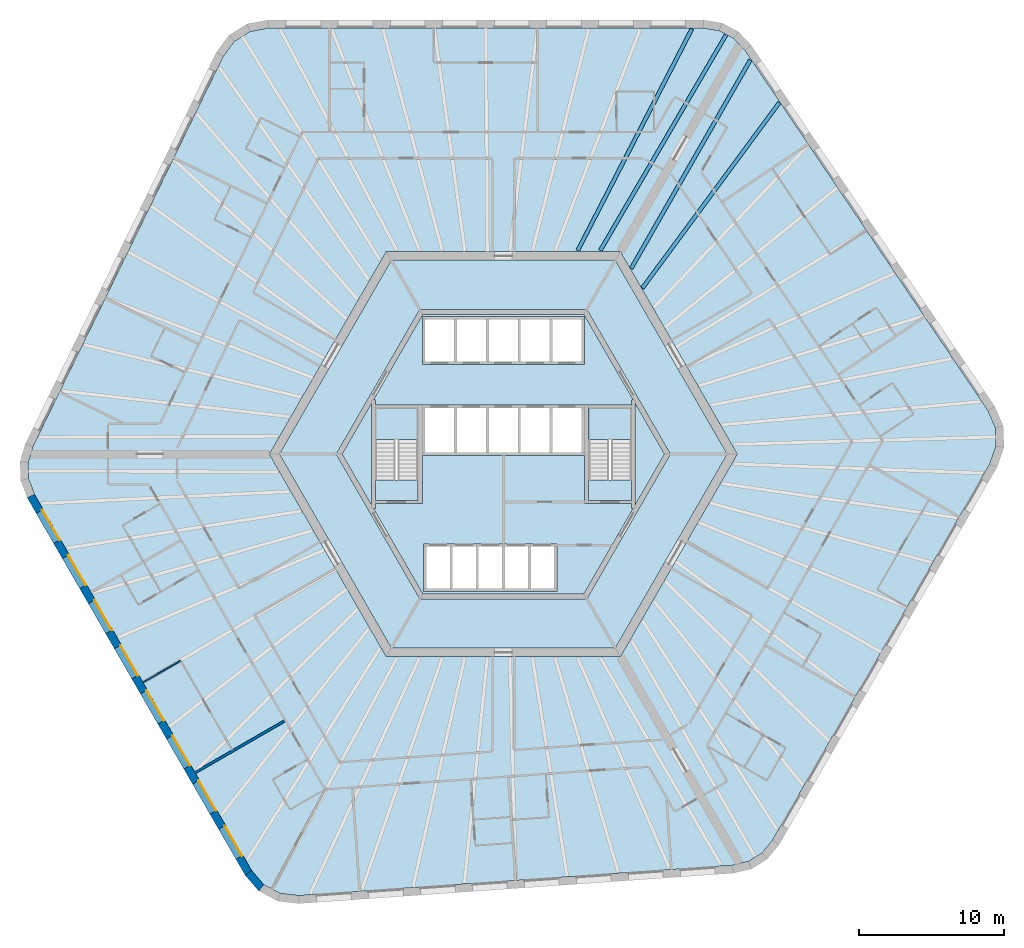
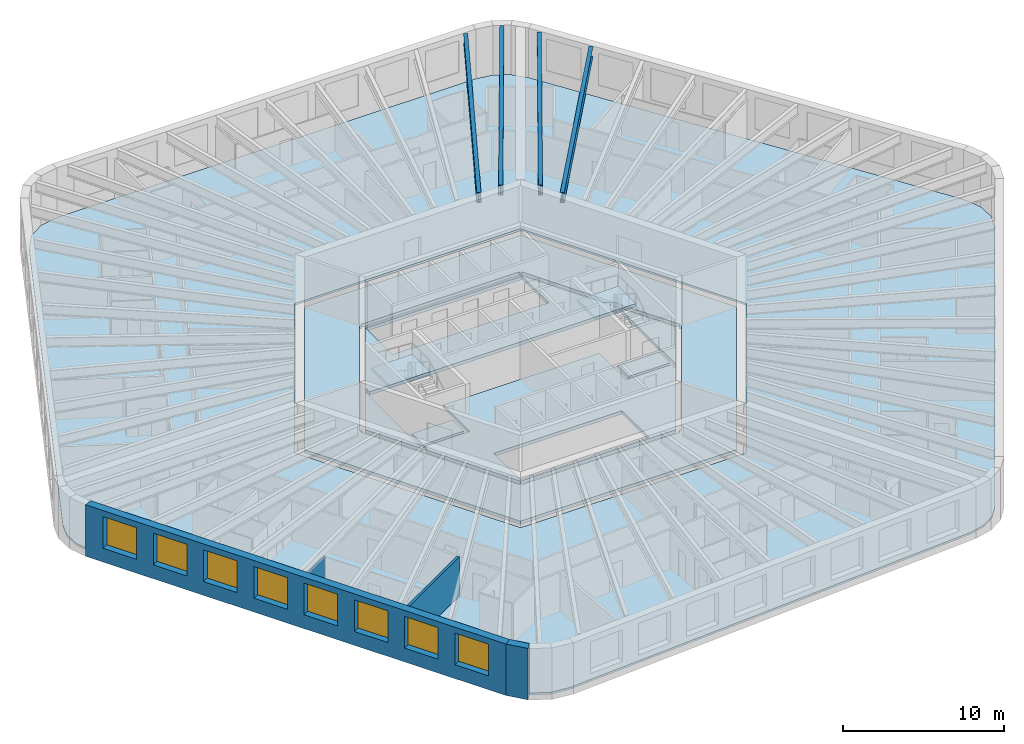
# One storey, part 2 of 11: 10 slabs, 8 windows, 4 beams, 4 walls, 8 openings, 2 elements without a shape of their own.
"""IFC4 building model written with IfcOpenShell, lengths in metres."""

import ifcopenshell
import ifcopenshell.guid

model = None  # the IFC model being written
_history = None  # IfcOwnerHistory: only IFC2X3 demands one
_inside = {}  # id of a spatial element -> (the spatial element, [elements in it])
_under = {}  # id of a project, library or spatial element -> (it, [spatial elements below it])
_declared = {}  # id of a project -> (the project, [libraries it declares])
_typed = {}  # id of a type object -> (the type object, [elements of that type])
_made_of = {}  # id of a material, layer set ... -> (it, [elements and type objects made of it])


def new_model(schema):
    """Start an empty IFC model of exactly this schema.

    Asked for "IFC4X3", IfcOpenShell would pick the latest addendum, in which some entities
    have other attributes; the version numbers below select the first issue.
    IFC2X3 requires an IfcOwnerHistory on every rooted entity: one is made here for all.
    """
    global model, _history
    if schema == "IFC4X3":
        model = ifcopenshell.file(schema_version=(4, 3, 0, 0))
    else:
        model = ifcopenshell.file(schema=schema)
    _inside.clear()
    _under.clear()
    _declared.clear()
    _typed.clear()
    _made_of.clear()
    _history = None
    if model.schema == "IFC2X3":
        org = make("IfcOrganization", Name="unknown")
        user = make(
            "IfcPersonAndOrganization",
            ThePerson=make("IfcPerson", FamilyName="unknown"),
            TheOrganization=org,
        )
        app = make(
            "IfcApplication",
            ApplicationDeveloper=org,
            Version="unknown",
            ApplicationFullName="unknown",
            ApplicationIdentifier="unknown",
        )
        _history = make(
            "IfcOwnerHistory",
            OwningUser=user,
            OwningApplication=app,
            ChangeAction="ADDED",
            CreationDate=0,
        )
    return model


def make(cls, **values):
    """One entity of the class cls with the attributes given. An attribute that is None is left unset."""
    return model.create_entity(
        cls, **{name: value for name, value in values.items() if value is not None}
    )


def rooted(cls, **values):
    """An entity with a GlobalId (a new one), such as an element, a storey or a relation."""
    return make(cls, GlobalId=ifcopenshell.guid.new(), OwnerHistory=_history, **values)


def si_unit(unit_type, name, prefix=None):
    """IfcSIUnit, for example si_unit("LENGTHUNIT", "METRE", prefix="MILLI")."""
    return make("IfcSIUnit", UnitType=unit_type, Prefix=prefix, Name=name)


def assignment(units):
    """IfcUnitAssignment: the units of a project."""
    return None if units is None else make("IfcUnitAssignment", Units=units)


def point(xyz):
    """IfcCartesianPoint."""
    return None if xyz is None else make("IfcCartesianPoint", Coordinates=xyz)


def direction(xyz):
    """IfcDirection."""
    return None if xyz is None else make("IfcDirection", DirectionRatios=xyz)


def frame(location, z_axis=None, x_axis=None):
    """IfcAxis2Placement3D, a coordinate frame: its origin and axes. An axis left out is left unset."""
    return make(
        "IfcAxis2Placement3D",
        Location=point(location),
        Axis=direction(z_axis),
        RefDirection=direction(x_axis),
    )


def frame_2d(location, x_axis=None):
    """IfcAxis2Placement2D, a coordinate frame in the plane: its origin and x axis."""
    return make(
        "IfcAxis2Placement2D", Location=point(location), RefDirection=direction(x_axis)
    )


def origin():
    """The frame at (0, 0, 0) with its axes left unset."""
    return frame((0.0, 0.0, 0.0))


def origin_2d():
    """The frame at (0, 0) in the plane with its x axis left unset."""
    return frame_2d((0.0, 0.0))


def place(relative_to, where):
    """IfcLocalPlacement: puts the frame where relative to a parent placement (None: the world)."""
    return make(
        "IfcLocalPlacement", PlacementRelTo=relative_to, RelativePlacement=where
    )


def context(
    kind, dimensions, precision=None, world=None, true_north=None, identifier=None
):
    """IfcGeometricRepresentationContext, for example the 3D "Model" context."""
    return make(
        "IfcGeometricRepresentationContext",
        ContextIdentifier=identifier,
        ContextType=kind,
        CoordinateSpaceDimension=dimensions,
        Precision=precision,
        WorldCoordinateSystem=world,
        TrueNorth=true_north,
    )


def subcontext(parent, identifier, kind, view, scale=None):
    """IfcGeometricRepresentationSubContext, for example "Body" below "Model"."""
    return make(
        "IfcGeometricRepresentationSubContext",
        ContextIdentifier=identifier,
        ContextType=kind,
        ParentContext=parent,
        TargetScale=scale,
        TargetView=view,
    )


def project(units=None, contexts=None):
    """IfcProject with its units and contexts."""
    return rooted(
        "IfcProject",
        Name="project",
        RepresentationContexts=contexts,
        UnitsInContext=assignment(units),
    )


def spatial(cls, under=None, at=None, **own):
    """A site, building, storey or space (cls), placed at a placement, below another one or the project."""
    s = rooted(cls, ObjectPlacement=at, **own)
    if under is not None:
        _under.setdefault(under.id(), (under, []))[1].append(s)
    return s


def polyline(points):
    """IfcPolyline through the points."""
    return make("IfcPolyline", Points=[point(p) for p in points])


def profile(cls, at=None, kind="AREA", **sizes):
    """A parametric profile (cls). Its sizes go by their IFC names, for example OverallWidth=200.0."""
    return make(cls, ProfileType=kind, Position=at, **sizes)


def rectangle(**sizes):
    """IfcRectangleProfileDef."""
    return profile("IfcRectangleProfileDef", **sizes)


def i_section(**sizes):
    """IfcIShapeProfileDef."""
    return profile("IfcIShapeProfileDef", **sizes)


def outline(outer, holes=None, kind="AREA"):
    """IfcArbitraryClosedProfileDef: a profile drawn as a closed curve; with holes, ...WithVoids."""
    if holes is None:
        return make("IfcArbitraryClosedProfileDef", ProfileType=kind, OuterCurve=outer)
    return make(
        "IfcArbitraryProfileDefWithVoids",
        ProfileType=kind,
        OuterCurve=outer,
        InnerCurves=holes,
    )


def extrude(swept, where, along, depth):
    """IfcExtrudedAreaSolid: the profile swept, set in the frame where, extruded along a direction by depth."""
    return make(
        "IfcExtrudedAreaSolid",
        SweptArea=swept,
        Position=where,
        ExtrudedDirection=direction(along),
        Depth=depth,
    )


def shape(context_of_items, identifier, shape_type, items):
    """IfcShapeRepresentation: the items that make up one representation, for example the "Body"."""
    return make(
        "IfcShapeRepresentation",
        ContextOfItems=context_of_items,
        RepresentationIdentifier=identifier,
        RepresentationType=shape_type,
        Items=items,
    )


def material(Name=None, Category=None):
    """IfcMaterial."""
    return make("IfcMaterial", Name=Name, Category=Category)


def layer(
    of_material, thickness, ventilated=None, Name=None, Category=None, Priority=None
):
    """IfcMaterialLayer: one layer of a wall or slab, of a material (None: an air gap)."""
    return make(
        "IfcMaterialLayer",
        Material=of_material,
        LayerThickness=thickness,
        IsVentilated=ventilated,
        Name=Name,
        Category=Category,
        Priority=Priority,
    )


def layer_set(layers, Name=None):
    """IfcMaterialLayerSet."""
    return make("IfcMaterialLayerSet", MaterialLayers=layers, LayerSetName=Name)


def material_profile(
    of_material, cross_section, Name=None, Category=None, Priority=None
):
    """IfcMaterialProfile: a cross section and its material."""
    return make(
        "IfcMaterialProfile",
        Name=Name,
        Material=of_material,
        Profile=cross_section,
        Priority=Priority,
        Category=Category,
    )


def profile_set(profiles, Name=None, composite=None):
    """IfcMaterialProfileSet."""
    return make(
        "IfcMaterialProfileSet",
        Name=Name,
        MaterialProfiles=profiles,
        CompositeProfile=composite,
    )


def made_of(thing, what):
    """Note that an element or type object is made of a material, layer set ...; save() writes the relation."""
    if what is not None:
        _made_of.setdefault(what.id(), (what, []))[1].append(thing)
    return thing


def type_object(cls, material=None, **own):
    """A type object (cls), such as IfcWallType, which elements share."""
    return made_of(rooted(cls, **own), material)


def element(
    cls,
    number,
    at=None,
    inside=None,
    cuts=None,
    type_object=None,
    material=None,
    context=None,
    identifier="Body",
    shape_type=None,
    held_by="IfcProductDefinitionShape",
    body=None,
    shapes=None,
    **own,
):
    """One element of the class cls, such as IfcWall. Its Tag is "e" and its number.

    at: its placement. inside: the storey or other place that contains it. cuts: it is an
    opening in that element (IfcRelVoidsElement). A single representation is given by context,
    identifier, shape_type and body (its items); several are given by shapes. held_by: the class
    of the entity that holds the representations. save() writes the other relations.
    """
    e = rooted(cls, Tag="e%d" % number, ObjectPlacement=at, **own)
    if body is not None:
        shapes = [shape(context, identifier, shape_type, body)]
    if shapes is not None:
        e.Representation = make(held_by, Representations=shapes)
    if inside is not None:
        _inside.setdefault(inside.id(), (inside, []))[1].append(e)
    if cuts is not None:
        rooted(
            "IfcRelVoidsElement", RelatingBuildingElement=cuts, RelatedOpeningElement=e
        )
    if type_object is not None:
        _typed.setdefault(type_object.id(), (type_object, []))[1].append(e)
    return made_of(e, material)


def fill(opening, filler):
    """IfcRelFillsElement: the door or window that sits in an opening."""
    return rooted(
        "IfcRelFillsElement",
        RelatingOpeningElement=opening,
        RelatedBuildingElement=filler,
    )


def aggregate(whole, parts):
    """IfcRelAggregates: a whole, such as a stair, and the parts it consists of."""
    return rooted("IfcRelAggregates", RelatingObject=whole, RelatedObjects=parts)


def save(model, path):
    """Write the relations noted so far, then the file.

    IfcRelAggregates (storeys below a building ...), IfcRelContainedInSpatialStructure (elements
    in a storey), IfcRelDefinesByType, IfcRelAssociatesMaterial and IfcRelDeclares: one each for
    every whole, place, type object, material and project.
    """
    for whole, parts in _under.values():
        aggregate(whole, parts)
    for where, things in _inside.values():
        rooted(
            "IfcRelContainedInSpatialStructure",
            RelatedElements=things,
            RelatingStructure=where,
        )
    for kind, things in _typed.values():
        rooted("IfcRelDefinesByType", RelatedObjects=things, RelatingType=kind)
    for what, things in _made_of.values():
        rooted("IfcRelAssociatesMaterial", RelatedObjects=things, RelatingMaterial=what)
    for by, libraries in _declared.values():
        rooted("IfcRelDeclares", RelatingContext=by, RelatedDefinitions=libraries)
    model.write(path)


model = new_model("IFC4")

# Units and contexts
model_context = context("Model", 3, precision=1e-05, world=origin(), true_north=direction((0.0, 1.0)))
body_context = subcontext(model_context, "Body", "Model", "MODEL_VIEW")
ifc_project = project(units=[si_unit("LENGTHUNIT", "METRE"), si_unit("AREAUNIT", "SQUARE_METRE"), si_unit("VOLUMEUNIT", "CUBIC_METRE"), si_unit("PLANEANGLEUNIT", "RADIAN"), si_unit("MASSUNIT", "GRAM", prefix="KILO")], contexts=[model_context])

# Site, building, storey
site_placement = place(None, origin())
site = spatial("IfcSite", under=ifc_project, at=site_placement, CompositionType="ELEMENT")
building_placement = place(site_placement, origin())
building = spatial("IfcBuilding", under=site, at=building_placement, Name="Tarnside Tower", CompositionType="ELEMENT")
storey_placement = place(building_placement, frame((0.0, 0.0, 107.699951171875)))
storey = spatial("IfcBuildingStorey", under=building, at=storey_placement, Name="L24", CompositionType="ELEMENT", Elevation=107.699951171875)

# Beams
ifc_material_1 = material(Name="Steel S355", Category="steel")
ifc_material_profile = material_profile(ifc_material_1, i_section(OverallWidth=0.2666015625, OverallDepth=0.76220703125, WebThickness=0.014404296875, FlangeThickness=0.021484375, FilletRadius=0.0166015625, at=origin_2d()), Name="UB 762x267x173")
ifc_profile_set = profile_set([ifc_material_profile], Name="Steel S355")
beam_type = type_object("IfcBeamType", Name="Floor beam UB 762x267x173", PredefinedType="BEAM", material=ifc_profile_set)
beam_1_placement = place(storey_placement, frame((13.0283203125, 29.37890625, 3.368896484375), z_axis=(-0.457973226459, -0.888965985765, 0.0), x_axis=(0.888965985765, -0.457973226459, 0.0)))
element("IfcBeam", 1, at=beam_1_placement, inside=storey, type_object=beam_type, Name="Floor beam F1.01", PredefinedType="BEAM", context=body_context, shape_type="SweptSolid", body=[
    extrude(i_section(OverallWidth=0.2666015625, OverallDepth=0.76220703125, WebThickness=0.014404296875, FlangeThickness=0.021484375, FilletRadius=0.0166015625, at=origin_2d()), origin(), (0.0, 0.0, 1.0), 17.219970703125),
])
beam_2_placement = place(storey_placement, frame((19.072021484375, 24.28857421875, 3.368896484375), z_axis=(-0.593986893499, -0.804474717037, 0.0), x_axis=(0.804474717037, -0.593986893499, 0.0)))
element("IfcBeam", 2, at=beam_2_placement, inside=storey, type_object=beam_type, Name="Floor beam F6.08", PredefinedType="BEAM", context=body_context, shape_type="SweptSolid", body=[
    extrude(i_section(OverallWidth=0.2666015625, OverallDepth=0.76220703125, WebThickness=0.014404296875, FlangeThickness=0.021484375, FilletRadius=0.0166015625, at=origin_2d()), origin(), (0.0, 0.0, 1.0), 15.934326171875),
])
beam_3_placement = place(storey_placement, frame((17.066162109375, 27.235107421875, 3.368896484375), z_axis=(-0.49622611841, -0.868193319145, 0.0), x_axis=(0.868193319145, -0.49622611841, 0.0)))
element("IfcBeam", 3, at=beam_3_placement, inside=storey, type_object=beam_type, Name="Floor beam F6.09", PredefinedType="BEAM", context=body_context, shape_type="SweptSolid", body=[
    extrude(i_section(OverallWidth=0.2666015625, OverallDepth=0.76220703125, WebThickness=0.014404296875, FlangeThickness=0.021484375, FilletRadius=0.0166015625, at=origin_2d()), origin(), (0.0, 0.0, 1.0), 16.586669921875),
])
beam_4_placement = place(storey_placement, frame((15.4013671875, 28.990478515625, 3.368896484375), z_axis=(-0.503858723096, -0.863786077198, 0.0), x_axis=(0.863786077198, -0.503858723096, 0.0)))
element("IfcBeam", 4, at=beam_4_placement, inside=storey, type_object=beam_type, Name="Floor beam C6", PredefinedType="BEAM", context=body_context, shape_type="SweptSolid", body=[
    extrude(i_section(OverallWidth=0.2666015625, OverallDepth=0.76220703125, WebThickness=0.014404296875, FlangeThickness=0.021484375, FilletRadius=0.0166015625, at=origin_2d()), origin(), (0.0, 0.0, 1.0), 17.2744140625),
])

# Slabs
ifc_material_2 = material(Name="Concrete C35/45", Category="concrete")
ifc_layer_1 = layer(ifc_material_2, 0.14990234375)
ifc_layer_set_1 = layer_set([ifc_layer_1], Name="Composite floor slab 150")
slab_type_1 = type_object("IfcSlabType", Name="Composite floor slab 150", PredefinedType="FLOOR", material=ifc_layer_set_1)
slab_1_placement = place(storey_placement, frame((0.0, 0.0, -0.14990234375)))
element("IfcSlab", 5, at=slab_1_placement, inside=storey, type_object=slab_type_1, Name="Floor slab L24", PredefinedType="FLOOR", context=body_context, shape_type="SweptSolid", body=[
    extrude(outline(polyline([(14.927490234375, 29.264892578125), (15.91455078125, 28.740234375), (16.697265625, 27.91064453125), (33.48583984375, 3.0205078125), (34.001220703125, 1.825439453125), (34.0458984375, 0.55078125), (33.614990234375, -0.67724609375), (18.603515625, -26.677978515625), (17.880615234375, -27.56005859375), (16.9326171875, -28.15234375), (15.82275390625, -28.41552734375), (-14.127197265625, -30.509765625), (-15.419921875, -30.358642578125), (-16.5458984375, -29.760009765625), (-17.39404296875, -28.772705078125), (-32.405517578125, -2.772216796875), (-32.80810546875, -1.704833984375), (-32.846923828125, -0.587890625), (-32.52001953125, 0.5048828125), (-19.358642578125, 27.4892578125), (-18.58154296875, 28.533203125), (-17.5, 29.208984375), (-16.220947265625, 29.449951171875), (13.802001953125, 29.449951171875), (14.927490234375, 29.264892578125)]), holes=[polyline([(-16.165771484375, 0.0), (-8.0830078125, -14.0), (8.0830078125, -14.0), (16.165771484375, 0.0), (8.0830078125, 14.0), (-8.0830078125, 14.0), (-16.165771484375, 0.0)])]), origin(), (0.0, 0.0, 1.0), 0.14990234375),
])
ifc_material_3 = material(Name="Concrete C40/50", Category="concrete")
ifc_layer_2 = layer(ifc_material_3, 0.25)
ifc_layer_set_2 = layer_set([ifc_layer_2], Name="Core slab C40/50")
slab_type_2 = type_object("IfcSlabType", Name="Core slab C40/50", PredefinedType="FLOOR", material=ifc_layer_set_2)
slab_2_placement = place(storey_placement, frame((0.0, 0.0, -0.25)))
element("IfcSlab", 6, at=slab_2_placement, inside=storey, type_object=slab_type_2, Name="L24 core floor slab 1", PredefinedType="FLOOR", context=body_context, shape_type="SweptSolid", body=[
    extrude(outline(polyline([(-15.472900390625, 0.0), (-7.736572265625, 13.39990234375), (7.736572265625, 13.39990234375), (15.472900390625, 0.0), (7.736572265625, -13.39990234375), (-7.736572265625, -13.39990234375), (-15.472900390625, 0.0)]), holes=[polyline([(5.823974609375, -9.91259765625), (11.49658203125, -0.08740234375), (11.344970703125, 0.0), (11.49658203125, 0.08740234375), (5.823974609375, 9.91259765625), (5.672607421875, 9.824951171875), (5.672607421875, 10.0), (-5.672607421875, 10.0), (-5.672607421875, 9.824951171875), (-5.823974609375, 9.91259765625), (-11.49658203125, 0.08740234375), (-11.344970703125, 0.0), (-11.49658203125, -0.08740234375), (-5.823974609375, -9.91259765625), (-5.672607421875, -9.824951171875), (-5.672607421875, -10.0), (5.672607421875, -10.0), (5.672607421875, -9.824951171875), (5.823974609375, -9.91259765625)])]), origin(), (0.0, 0.0, 1.0), 0.25),
])
slab_3_placement = place(storey_placement, frame((0.0, 0.0, -0.25)))
element("IfcSlab", 7, at=slab_3_placement, inside=storey, type_object=slab_type_2, Name="L24 core floor slab 2", PredefinedType="FLOOR", context=body_context, shape_type="SweptSolid", body=[
    extrude(outline(polyline([(-8.97509765625, 3.7548828125), (-5.5712890625, 9.64990234375), (5.5712890625, 9.64990234375), (8.97509765625, 3.7548828125), (8.85009765625, 3.7548828125), (8.85009765625, 3.39990234375), (5.89990234375, 3.39990234375), (5.60009765625, 3.39990234375), (5.60009765625, 3.39990234375), (-5.60009765625, 3.39990234375), (-5.89990234375, 3.39990234375), (-8.85009765625, 3.39990234375), (-8.85009765625, 3.7548828125), (-8.97509765625, 3.7548828125)]), holes=[polyline([(-5.60009765625, 6.199951171875), (5.60009765625, 6.199951171875), (5.60009765625, 6.39990234375), (5.60009765625, 9.300048828125), (5.60009765625, 9.5), (-5.60009765625, 9.5), (-5.60009765625, 9.300048828125), (-5.60009765625, 6.39990234375), (-5.60009765625, 6.199951171875)])]), origin(), (0.0, 0.0, 1.0), 0.25),
])
slab_4_placement = place(storey_placement, frame((0.0, 0.0, -0.25)))
element("IfcSlab", 8, at=slab_4_placement, inside=storey, type_object=slab_type_2, Name="L24 core floor slab 3", PredefinedType="FLOOR", context=body_context, shape_type="SweptSolid", body=[
    extrude(outline(polyline([(5.60009765625, -3.39990234375), (5.89990234375, -3.39990234375), (8.85009765625, -3.39990234375), (8.85009765625, -3.7548828125), (8.97509765625, -3.7548828125), (5.5712890625, -9.64990234375), (-5.5712890625, -9.64990234375), (-8.97509765625, -3.7548828125), (-8.85009765625, -3.7548828125), (-8.85009765625, -3.39990234375), (-5.89990234375, -3.39990234375), (-5.60009765625, -3.39990234375), (-5.60009765625, -0.10009765625), (5.60009765625, -0.10009765625), (5.60009765625, -3.39990234375)]), holes=[polyline([(-5.5, -9.300048828125), (-5.5, -9.5), (3.699951171875, -9.5), (3.699951171875, -9.300048828125), (3.699951171875, -6.39990234375), (3.699951171875, -6.199951171875), (-5.5, -6.199951171875), (-5.5, -6.39990234375), (-5.5, -9.300048828125)])]), origin(), (0.0, 0.0, 1.0), 0.25),
])
slab_5_placement = place(storey_placement, frame((0.0, 0.0, -0.25)))
element("IfcSlab", 9, at=slab_5_placement, inside=storey, type_object=slab_type_2, Name="L24 core floor slab 4", PredefinedType="FLOOR", context=body_context, shape_type="SweptSolid", body=[
    extrude(outline(polyline([(-11.142822265625, 0.0), (-9.10009765625, 3.538330078125), (-9.10009765625, -3.538330078125), (-11.142822265625, 0.0)])), origin(), (0.0, 0.0, 1.0), 0.25),
])
slab_6_placement = place(storey_placement, frame((0.0, 0.0, -0.25)))
element("IfcSlab", 10, at=slab_6_placement, inside=storey, type_object=slab_type_2, Name="L24 core floor slab 5", PredefinedType="FLOOR", context=body_context, shape_type="SweptSolid", body=[
    extrude(outline(polyline([(-8.85009765625, -1.800048828125), (-5.89990234375, -1.800048828125), (-5.89990234375, -3.199951171875), (-8.85009765625, -3.199951171875), (-8.85009765625, -1.800048828125)])), origin(), (0.0, 0.0, 1.0), 0.25),
])
slab_7_placement = place(storey_placement, frame((0.0, 0.0, -0.25)))
element("IfcSlab", 11, at=slab_7_placement, inside=storey, type_object=slab_type_2, Name="L24 core floor slab 6", PredefinedType="FLOOR", context=body_context, shape_type="SweptSolid", body=[
    extrude(outline(polyline([(5.89990234375, -3.199951171875), (5.89990234375, -1.800048828125), (8.85009765625, -1.800048828125), (8.85009765625, -3.199951171875), (5.89990234375, -3.199951171875)])), origin(), (0.0, 0.0, 1.0), 0.25),
])
slab_8_placement = place(storey_placement, frame((0.0, 0.0, -0.25)))
element("IfcSlab", 12, at=slab_8_placement, inside=storey, type_object=slab_type_2, Name="L24 core floor slab 7", PredefinedType="FLOOR", context=body_context, shape_type="SweptSolid", body=[
    extrude(outline(polyline([(9.10009765625, -3.538330078125), (9.10009765625, 3.538330078125), (11.142822265625, 0.0), (9.10009765625, -3.538330078125)])), origin(), (0.0, 0.0, 1.0), 0.25),
])

# Stair, slab
stair_type = type_object("IfcStairType", Name="Exit stair 1400 clear", PredefinedType="HALF_TURN_STAIR", material=ifc_material_3)
stair_1_placement = place(storey_placement, origin())
stair_1 = element("IfcStair", 13, at=stair_1_placement, inside=storey, type_object=stair_type, Name="L24 Exit stair 1", PredefinedType="HALF_TURN_STAIR")
ifc_layer_3 = layer(ifc_material_3, 0.199951171875)
ifc_layer_set_3 = layer_set([ifc_layer_3], Name="Stair landing 200 C40/50")
slab_type_3 = type_object("IfcSlabType", Name="Stair landing 200 C40/50", PredefinedType="LANDING", material=ifc_layer_set_3)
slab_9_placement = place(storey_placement, frame((0.0, 0.0, 1.75)))
slab_9 = element("IfcSlab", 14, at=slab_9_placement, type_object=slab_type_3, Name="ST1 landing 1", PredefinedType="LANDING", context=body_context, shape_type="SweptSolid", body=[
    extrude(outline(polyline([(8.85009765625, 1.0), (8.85009765625, 3.199951171875), (5.89990234375, 3.199951171875), (5.89990234375, 1.0), (8.85009765625, 1.0)])), origin(), (0.0, 0.0, 1.0), 0.199951171875),
])
aggregate(stair_1, [slab_9])

stair_2_placement = place(storey_placement, origin())
stair_2 = element("IfcStair", 15, at=stair_2_placement, inside=storey, type_object=stair_type, Name="L24 Exit stair 2", PredefinedType="HALF_TURN_STAIR")
slab_10_placement = place(storey_placement, frame((0.0, 0.0, 1.75)))
slab_10 = element("IfcSlab", 16, at=slab_10_placement, type_object=slab_type_3, Name="ST2 landing 1", PredefinedType="LANDING", context=body_context, shape_type="SweptSolid", body=[
    extrude(outline(polyline([(-5.89990234375, 1.0), (-5.89990234375, 3.199951171875), (-8.85009765625, 3.199951171875), (-8.85009765625, 1.0), (-5.89990234375, 1.0)])), origin(), (0.0, 0.0, 1.0), 0.199951171875),
])
aggregate(stair_2, [slab_10])

# Walls
ifc_material_4 = material(Name="Gypsum board partition on steel studs", Category="steel")
ifc_layer_4 = layer(ifc_material_4, 0.179931640625)
ifc_layer_set_4 = layer_set([ifc_layer_4], Name="Demising wall 180 EI 60")
wall_type_1 = type_object("IfcWallType", Name="Demising wall 180 EI 60", PredefinedType="PARTITIONING", material=ifc_layer_set_4)
wall_1_placement = place(storey_placement, frame((-21.298828125, -22.00927734375, 0.0), z_axis=(0.0, 0.0, 1.0), x_axis=(0.866024672353, 0.500001266874, 0.0)))
element("IfcWall", 17, at=wall_1_placement, inside=storey, type_object=wall_type_1, Name="Demising wall 07112", PredefinedType="PARTITIONING", context=body_context, shape_type="SweptSolid", body=[
    extrude(rectangle(XDim=7.125, YDim=0.179931640625, at=frame_2d((3.5625, 0.0))), origin(), (0.0, 0.0, 1.0), 2.98779296875),
])
ifc_layer_5 = layer(ifc_material_4, 0.10009765625)
ifc_layer_set_5 = layer_set([ifc_layer_5], Name="Partition 100")
wall_type_2 = type_object("IfcWallType", Name="Partition 100", PredefinedType="PARTITIONING", material=ifc_layer_set_5)
wall_2_placement = place(storey_placement, frame((-24.89892578125, -15.773681640625, 0.0), z_axis=(0.0, 0.0, 1.0), x_axis=(0.866066333729, 0.499929100554, 0.0)))
element("IfcWall", 18, at=wall_2_placement, inside=storey, type_object=wall_type_2, Name="Partition wall 07110", PredefinedType="PARTITIONING", context=body_context, shape_type="SweptSolid", body=[
    extrude(rectangle(XDim=3.0, YDim=0.10009765625, at=frame_2d((1.5, 0.0))), origin(), (0.0, 0.0, 1.0), 2.98779296875),
])

# Wall, openings, windows
ifc_material_5 = material(Name="Facing brick", Category="masonry")
ifc_layer_6 = layer(ifc_material_5, 0.10205078125)
ifc_material_6 = material(Name="Concrete C60/75 precast", Category="concrete")
ifc_layer_7 = layer(ifc_material_6, 0.347900390625)
ifc_material_7 = material(Name="Mineral wool insulation")
ifc_layer_8 = layer(ifc_material_7, 0.10009765625)
ifc_layer_set_6 = layer_set([ifc_layer_6, ifc_layer_7, ifc_layer_8], Name="Tube wall 550 brick faced")
wall_type_3 = type_object("IfcWallType", Name="Tube wall 550 brick faced", PredefinedType="SOLIDWALL", material=ifc_layer_set_6)
wall_3_placement = place(storey_placement, frame((-32.65478515625, -2.89013671875, -0.14990234375), z_axis=(0.0, 0.0, 1.0), x_axis=(0.499997711317, -0.866026725152, 0.0)))
wall_3 = element("IfcWall", 19, at=wall_3_placement, inside=storey, type_object=wall_type_3, Name="Tube wall L24 F3 flush 08", PredefinedType="SOLIDWALL", context=body_context, shape_type="SweptSolid", body=[
    extrude(outline(polyline([(-0.0224609375, -0.27490234375), (30.0966796875, -0.27490234375), (30.04541015625, 0.27490234375), (0.0224609375, 0.27490234375), (-0.0224609375, -0.27490234375)])), origin(), (0.0, 0.0, 1.0), 3.89990234375),
])
opening_1_placement = place(wall_3_placement, frame((1.235595703125, 0.0, 1.050048828125)))
opening_1 = element("IfcOpeningElement", 20, at=opening_1_placement, cuts=wall_3, Name="Opening WH", PredefinedType="OPENING", context=body_context, shape_type="SweptSolid", body=[
    extrude(rectangle(XDim=2.39990234375, YDim=2.39990234375, at=frame_2d((1.199951171875, 1.199951171875))), frame((0.0, 0.28515625, 0.0), z_axis=(0.0, -1.0, 0.0), x_axis=(1.0, 0.0, 0.0)), (0.0, 0.0, 1.0), 0.570068359375),
])
opening_2_placement = place(wall_3_placement, frame((4.83544921875, 0.0, 1.050048828125)))
opening_2 = element("IfcOpeningElement", 21, at=opening_2_placement, cuts=wall_3, Name="Opening WH", PredefinedType="OPENING", context=body_context, shape_type="SweptSolid", body=[
    extrude(rectangle(XDim=2.39990234375, YDim=2.39990234375, at=frame_2d((1.199951171875, 1.199951171875))), frame((0.0, 0.28515625, 0.0), z_axis=(0.0, -1.0, 0.0), x_axis=(1.0, 0.0, 0.0)), (0.0, 0.0, 1.0), 0.570068359375),
])
opening_3_placement = place(wall_3_placement, frame((8.435546875, 0.0, 1.050048828125)))
opening_3 = element("IfcOpeningElement", 22, at=opening_3_placement, cuts=wall_3, Name="Opening WH", PredefinedType="OPENING", context=body_context, shape_type="SweptSolid", body=[
    extrude(rectangle(XDim=2.39990234375, YDim=2.39990234375, at=frame_2d((1.199951171875, 1.199951171875))), frame((0.0, 0.28515625, 0.0), z_axis=(0.0, -1.0, 0.0), x_axis=(1.0, 0.0, 0.0)), (0.0, 0.0, 1.0), 0.570068359375),
])
opening_4_placement = place(wall_3_placement, frame((12.035400390625, 0.0, 1.050048828125)))
opening_4 = element("IfcOpeningElement", 23, at=opening_4_placement, cuts=wall_3, Name="Opening WH", PredefinedType="OPENING", context=body_context, shape_type="SweptSolid", body=[
    extrude(rectangle(XDim=2.39990234375, YDim=2.39990234375, at=frame_2d((1.199951171875, 1.199951171875))), frame((0.0, 0.28515625, 0.0), z_axis=(0.0, -1.0, 0.0), x_axis=(1.0, 0.0, 0.0)), (0.0, 0.0, 1.0), 0.570068359375),
])
opening_5_placement = place(wall_3_placement, frame((15.635498046875, 0.0, 1.050048828125)))
opening_5 = element("IfcOpeningElement", 24, at=opening_5_placement, cuts=wall_3, Name="Opening WH", PredefinedType="OPENING", context=body_context, shape_type="SweptSolid", body=[
    extrude(rectangle(XDim=2.39990234375, YDim=2.39990234375, at=frame_2d((1.199951171875, 1.199951171875))), frame((0.0, 0.28515625, 0.0), z_axis=(0.0, -1.0, 0.0), x_axis=(1.0, 0.0, 0.0)), (0.0, 0.0, 1.0), 0.570068359375),
])
opening_6_placement = place(wall_3_placement, frame((19.235595703125, 0.0, 1.050048828125)))
opening_6 = element("IfcOpeningElement", 25, at=opening_6_placement, cuts=wall_3, Name="Opening WH", PredefinedType="OPENING", context=body_context, shape_type="SweptSolid", body=[
    extrude(rectangle(XDim=2.39990234375, YDim=2.39990234375, at=frame_2d((1.199951171875, 1.199951171875))), frame((0.0, 0.28515625, 0.0), z_axis=(0.0, -1.0, 0.0), x_axis=(1.0, 0.0, 0.0)), (0.0, 0.0, 1.0), 0.570068359375),
])
opening_7_placement = place(wall_3_placement, frame((22.83544921875, 0.0, 1.050048828125)))
opening_7 = element("IfcOpeningElement", 26, at=opening_7_placement, cuts=wall_3, Name="Opening WH", PredefinedType="OPENING", context=body_context, shape_type="SweptSolid", body=[
    extrude(rectangle(XDim=2.39990234375, YDim=2.39990234375, at=frame_2d((1.199951171875, 1.199951171875))), frame((0.0, 0.28515625, 0.0), z_axis=(0.0, -1.0, 0.0), x_axis=(1.0, 0.0, 0.0)), (0.0, 0.0, 1.0), 0.570068359375),
])
opening_8_placement = place(wall_3_placement, frame((26.435546875, 0.0, 1.050048828125)))
opening_8 = element("IfcOpeningElement", 27, at=opening_8_placement, cuts=wall_3, Name="Opening WH", PredefinedType="OPENING", context=body_context, shape_type="SweptSolid", body=[
    extrude(rectangle(XDim=2.39990234375, YDim=2.39990234375, at=frame_2d((1.199951171875, 1.199951171875))), frame((0.0, 0.28515625, 0.0), z_axis=(0.0, -1.0, 0.0), x_axis=(1.0, 0.0, 0.0)), (0.0, 0.0, 1.0), 0.570068359375),
])
ifc_material_8 = material(Name="Aluminium-framed double glazing", Category="aluminium")
window_type = type_object("IfcWindowType", Name="Hotel window 2400 x 2400", PartitioningType="DOUBLE_PANEL_VERTICAL", PredefinedType="WINDOW", material=ifc_material_8)
window_1_placement = place(opening_1_placement, frame((0.0, 0.205078125, 0.0)))
window_1 = element("IfcWindow", 28, at=window_1_placement, inside=storey, type_object=window_type, Name="E.WN.L24.F3.00", OverallHeight=2.39990234375, OverallWidth=2.39990234375, PartitioningType="DOUBLE_PANEL_VERTICAL", PredefinedType="WINDOW", context=body_context, shape_type="SweptSolid", body=[
    extrude(rectangle(XDim=2.39990234375, YDim=2.39990234375, at=frame_2d((1.199951171875, 1.199951171875))), frame((0.0, 0.030029296875, 0.0), z_axis=(0.0, -1.0, 0.0), x_axis=(1.0, 0.0, 0.0)), (0.0, 0.0, 1.0), 0.06005859375),
])
fill(opening_1, window_1)
window_2_placement = place(opening_2_placement, frame((0.0, 0.205078125, 0.0)))
window_2 = element("IfcWindow", 29, at=window_2_placement, inside=storey, type_object=window_type, Name="E.WN.L24.F3.01", OverallHeight=2.39990234375, OverallWidth=2.39990234375, PartitioningType="DOUBLE_PANEL_VERTICAL", PredefinedType="WINDOW", context=body_context, shape_type="SweptSolid", body=[
    extrude(rectangle(XDim=2.39990234375, YDim=2.39990234375, at=frame_2d((1.199951171875, 1.199951171875))), frame((0.0, 0.030029296875, 0.0), z_axis=(0.0, -1.0, 0.0), x_axis=(1.0, 0.0, 0.0)), (0.0, 0.0, 1.0), 0.06005859375),
])
fill(opening_2, window_2)
window_3_placement = place(opening_3_placement, frame((0.0, 0.205078125, 0.0)))
window_3 = element("IfcWindow", 30, at=window_3_placement, inside=storey, type_object=window_type, Name="E.WN.L24.F3.02", OverallHeight=2.39990234375, OverallWidth=2.39990234375, PartitioningType="DOUBLE_PANEL_VERTICAL", PredefinedType="WINDOW", context=body_context, shape_type="SweptSolid", body=[
    extrude(rectangle(XDim=2.39990234375, YDim=2.39990234375, at=frame_2d((1.199951171875, 1.199951171875))), frame((0.0, 0.030029296875, 0.0), z_axis=(0.0, -1.0, 0.0), x_axis=(1.0, 0.0, 0.0)), (0.0, 0.0, 1.0), 0.06005859375),
])
fill(opening_3, window_3)
window_4_placement = place(opening_4_placement, frame((0.0, 0.205078125, 0.0)))
window_4 = element("IfcWindow", 31, at=window_4_placement, inside=storey, type_object=window_type, Name="E.WN.L24.F3.03", OverallHeight=2.39990234375, OverallWidth=2.39990234375, PartitioningType="DOUBLE_PANEL_VERTICAL", PredefinedType="WINDOW", context=body_context, shape_type="SweptSolid", body=[
    extrude(rectangle(XDim=2.39990234375, YDim=2.39990234375, at=frame_2d((1.199951171875, 1.199951171875))), frame((0.0, 0.030029296875, 0.0), z_axis=(0.0, -1.0, 0.0), x_axis=(1.0, 0.0, 0.0)), (0.0, 0.0, 1.0), 0.06005859375),
])
fill(opening_4, window_4)
window_5_placement = place(opening_5_placement, frame((0.0, 0.205078125, 0.0)))
window_5 = element("IfcWindow", 32, at=window_5_placement, inside=storey, type_object=window_type, Name="E.WN.L24.F3.04", OverallHeight=2.39990234375, OverallWidth=2.39990234375, PartitioningType="DOUBLE_PANEL_VERTICAL", PredefinedType="WINDOW", context=body_context, shape_type="SweptSolid", body=[
    extrude(rectangle(XDim=2.39990234375, YDim=2.39990234375, at=frame_2d((1.199951171875, 1.199951171875))), frame((0.0, 0.030029296875, 0.0), z_axis=(0.0, -1.0, 0.0), x_axis=(1.0, 0.0, 0.0)), (0.0, 0.0, 1.0), 0.06005859375),
])
fill(opening_5, window_5)
window_6_placement = place(opening_6_placement, frame((0.0, 0.205078125, 0.0)))
window_6 = element("IfcWindow", 33, at=window_6_placement, inside=storey, type_object=window_type, Name="E.WN.L24.F3.05", OverallHeight=2.39990234375, OverallWidth=2.39990234375, PartitioningType="DOUBLE_PANEL_VERTICAL", PredefinedType="WINDOW", context=body_context, shape_type="SweptSolid", body=[
    extrude(rectangle(XDim=2.39990234375, YDim=2.39990234375, at=frame_2d((1.199951171875, 1.199951171875))), frame((0.0, 0.030029296875, 0.0), z_axis=(0.0, -1.0, 0.0), x_axis=(1.0, 0.0, 0.0)), (0.0, 0.0, 1.0), 0.06005859375),
])
fill(opening_6, window_6)
window_7_placement = place(opening_7_placement, frame((0.0, 0.205078125, 0.0)))
window_7 = element("IfcWindow", 34, at=window_7_placement, inside=storey, type_object=window_type, Name="E.WN.L24.F3.06", OverallHeight=2.39990234375, OverallWidth=2.39990234375, PartitioningType="DOUBLE_PANEL_VERTICAL", PredefinedType="WINDOW", context=body_context, shape_type="SweptSolid", body=[
    extrude(rectangle(XDim=2.39990234375, YDim=2.39990234375, at=frame_2d((1.199951171875, 1.199951171875))), frame((0.0, 0.030029296875, 0.0), z_axis=(0.0, -1.0, 0.0), x_axis=(1.0, 0.0, 0.0)), (0.0, 0.0, 1.0), 0.06005859375),
])
fill(opening_7, window_7)
window_8_placement = place(opening_8_placement, frame((0.0, 0.205078125, 0.0)))
window_8 = element("IfcWindow", 35, at=window_8_placement, inside=storey, type_object=window_type, Name="E.WN.L24.F3.07", OverallHeight=2.39990234375, OverallWidth=2.39990234375, PartitioningType="DOUBLE_PANEL_VERTICAL", PredefinedType="WINDOW", context=body_context, shape_type="SweptSolid", body=[
    extrude(rectangle(XDim=2.39990234375, YDim=2.39990234375, at=frame_2d((1.199951171875, 1.199951171875))), frame((0.0, 0.030029296875, 0.0), z_axis=(0.0, -1.0, 0.0), x_axis=(1.0, 0.0, 0.0)), (0.0, 0.0, 1.0), 0.06005859375),
])
fill(opening_8, window_8)

# Wall
wall_4_placement = place(storey_placement, frame((-17.619384765625, -28.932373046875, -0.14990234375), z_axis=(0.0, 0.0, 1.0), x_axis=(0.651621950847, -0.758543890078, 0.0)))
element("IfcWall", 36, at=wall_4_placement, inside=storey, type_object=wall_type_3, Name="Tube wall L24 F3 chord 09", PredefinedType="SOLIDWALL", context=body_context, shape_type="SweptSolid", body=[
    extrude(outline(polyline([(-0.025634765625, -0.27490234375), (1.430908203125, -0.27490234375), (1.327392578125, 0.27490234375), (0.025634765625, 0.27490234375), (-0.025634765625, -0.27490234375)])), origin(), (0.0, 0.0, 1.0), 3.89990234375),
])

save(model, "model.ifc")
